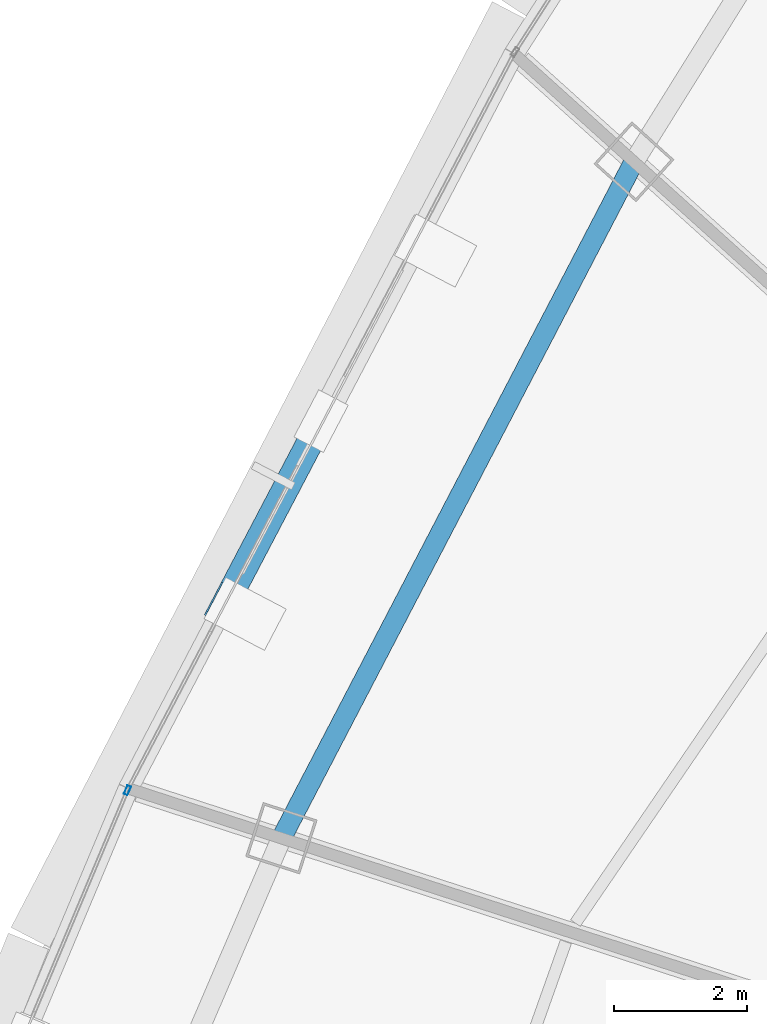
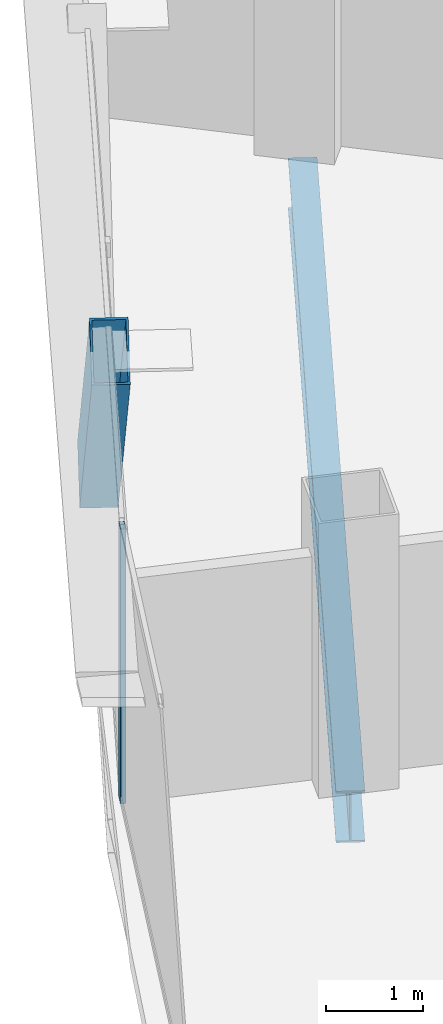
# One storey, part 8 of 36: 2 members, 1 beam, 1 element without a shape of its own.
"""IFC4 building model written with IfcOpenShell, lengths in metres."""

from ifc_helpers import new_model, si_unit, direction, frame, origin, origin_2d, place, context, subcontext, project, spatial, hollow_rectangle, i_section, extrude, source, transform, mapped, material, layer, layer_set, material_profile, profile_set, type_object, element, aggregate, save


model = new_model("IFC4")

# Units and contexts
model_context = context("Model", 3, precision=1e-05, world=origin(), true_north=direction((0.0, 1.0)))
body_context = subcontext(model_context, "Body", "Model", "MODEL_VIEW")
ifc_project = project(units=[si_unit("LENGTHUNIT", "METRE"), si_unit("AREAUNIT", "SQUARE_METRE"), si_unit("VOLUMEUNIT", "CUBIC_METRE"), si_unit("PLANEANGLEUNIT", "RADIAN"), si_unit("MASSUNIT", "GRAM", prefix="KILO"), si_unit("THERMODYNAMICTEMPERATUREUNIT", "KELVIN"), si_unit("POWERUNIT", "WATT")], contexts=[model_context])

# Site, building, storey
site_placement = place(None, origin())
site = spatial("IfcSite", under=ifc_project, at=site_placement, CompositionType="ELEMENT")
building_placement = place(site_placement, origin())
building = spatial("IfcBuilding", under=site, at=building_placement, Name="Yunzhuo Pagoda Commons", CompositionType="ELEMENT")
storey_placement = place(building_placement, frame((0.0, 0.0, 248.260009765625)))
storey = spatial("IfcBuildingStorey", under=building, at=storey_placement, Name="L62", CompositionType="ELEMENT", Elevation=248.260009765625)

# Beam
ifc_material_1 = material(Name="Structural steel Q355B", Category="steel")
ifc_material_profile_1 = material_profile(ifc_material_1, i_section(OverallWidth=0.300048828125, OverallDepth=0.64990234375, WebThickness=0.012939453125, FlangeThickness=0.02197265625, at=origin_2d()), Name="Structural steel Q355B")
ifc_profile_set_1 = profile_set([ifc_material_profile_1], Name="Structural steel Q355B")
beam_type = type_object("IfcBeamType", Name="B-RG2 Beam HN 650x300x13x22", PredefinedType="BEAM", material=ifc_profile_set_1)
shared_shape_1 = source(origin(), body_context, "Body", "SweptSolid", [
    extrude(i_section(OverallWidth=0.300048828125, OverallDepth=0.64990234375, WebThickness=0.012939453125, FlangeThickness=0.02197265625, at=origin_2d()), origin(), (0.0, 0.0, 1.0), 11.43896484375),
])
beam_placement = place(storey_placement, frame((27.38818359375, 52.259033203125, -0.5849609375), z_axis=(-0.462142168026, -0.886805850529, 0.0), x_axis=(0.886805850529, -0.462142168026, 0.0)))
element("IfcBeam", 1, at=beam_placement, inside=storey, type_object=beam_type, Name="L62 column-ring beam 10", PredefinedType="BEAM", context=body_context, shape_type="MappedRepresentation", body=[
    mapped(shared_shape_1, transform((0.0, 0.0, 0.0), scale=1.0)),
])

# Member
ifc_material_profile_2 = material_profile(ifc_material_1, hollow_rectangle(XDim=0.39990234375, YDim=0.719970703125, WallThickness=0.02392578125, at=origin_2d()), Name="Structural steel Q355B")
ifc_profile_set_2 = profile_set([ifc_material_profile_2], Name="Structural steel Q355B")
member_type_1 = type_object("IfcMemberType", Name="M-DL2 Brace BOX 720x400x24", PredefinedType="BRACE", material=ifc_profile_set_2)
shared_shape_2 = source(origin(), body_context, "Body", "SweptSolid", [
    extrude(hollow_rectangle(XDim=0.39990234375, YDim=0.719970703125, WallThickness=0.02392578125, at=origin_2d()), origin(), (0.0, 0.0, 1.0), 4.857421875),
])
member_1_placement = place(storey_placement, frame((22.696533203125, 48.370361328125, -0.260009765625), z_axis=(-0.29770365409, -0.567109628415, 0.767957813751), x_axis=(0.885416472783, -0.46479852595, 0.0)))
element("IfcMember", 2, at=member_1_placement, inside=storey, type_object=member_type_1, Name="L62 facade diamond brace F3.2R", PredefinedType="BRACE", context=body_context, shape_type="MappedRepresentation", body=[
    mapped(shared_shape_2, transform((0.0, 0.0, 0.0), scale=1.0)),
])

# Curtain wall, member
ifc_material_2 = material(Name="Anodized aluminium 6063-T6", Category="aluminium")
ifc_layer = layer(ifc_material_2, 0.139892578125)
ifc_layer_set = layer_set([ifc_layer], Name="Anodized aluminium 6063-T6")
curtain_wall_type = type_object("IfcCurtainWallType", Name="CW-HI High-Zone Ribbon Curtain Wall", PredefinedType="NOTDEFINED", material=ifc_layer_set)
curtain_wall_placement = place(storey_placement, origin())
curtain_wall = element("IfcCurtainWall", 3, at=curtain_wall_placement, inside=storey, type_object=curtain_wall_type, Name="L62 curtain wall CW-L62-F3B4", PredefinedType="NOTDEFINED")
ifc_material_profile_3 = material_profile(ifc_material_2, hollow_rectangle(XDim=0.06005859375, YDim=0.139892578125, WallThickness=0.00341796875, at=origin_2d()), Name="Anodized aluminium 6063-T6")
ifc_profile_set_3 = profile_set([ifc_material_profile_3], Name="Anodized aluminium 6063-T6")
member_type_2 = type_object("IfcMemberType", Name="CW-HI-M Mullion RHS 140x60x3.5", PredefinedType="MULLION", material=ifc_profile_set_3)
shared_shape_3 = source(origin(), body_context, "Body", "SweptSolid", [
    extrude(hollow_rectangle(XDim=0.06005859375, YDim=0.139892578125, WallThickness=0.00341796875, at=origin_2d()), origin(), (0.0, 0.0, 1.0), 3.47021484375),
])
member_2_placement = place(storey_placement, frame((19.79296875, 42.83349609375, 0.0), z_axis=(0.0, 0.0, 1.0), x_axis=(0.922008372235, -0.387169938824, 0.0)))
member_2 = element("IfcMember", 4, at=member_2_placement, type_object=member_type_2, Name="CW mullion 1", PredefinedType="MULLION", context=body_context, shape_type="MappedRepresentation", body=[
    mapped(shared_shape_3, transform((0.0, 0.0, 0.0), scale=1.0)),
])
aggregate(curtain_wall, [member_2])

save(model, "model.ifc")
